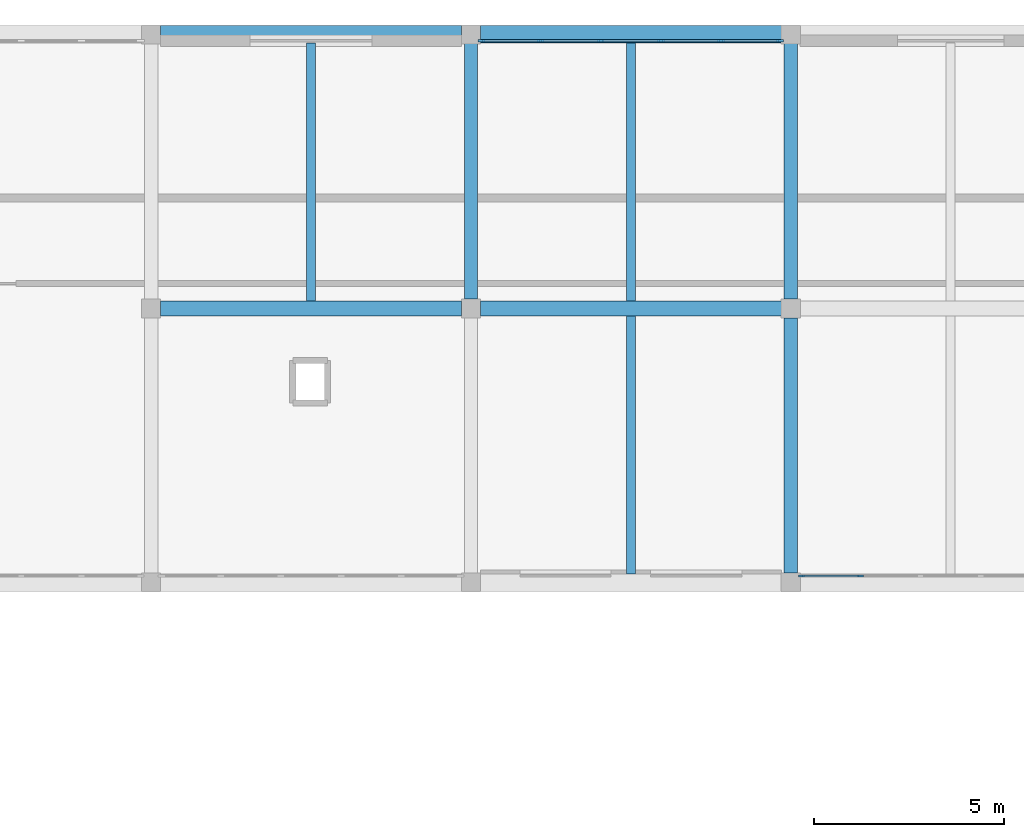
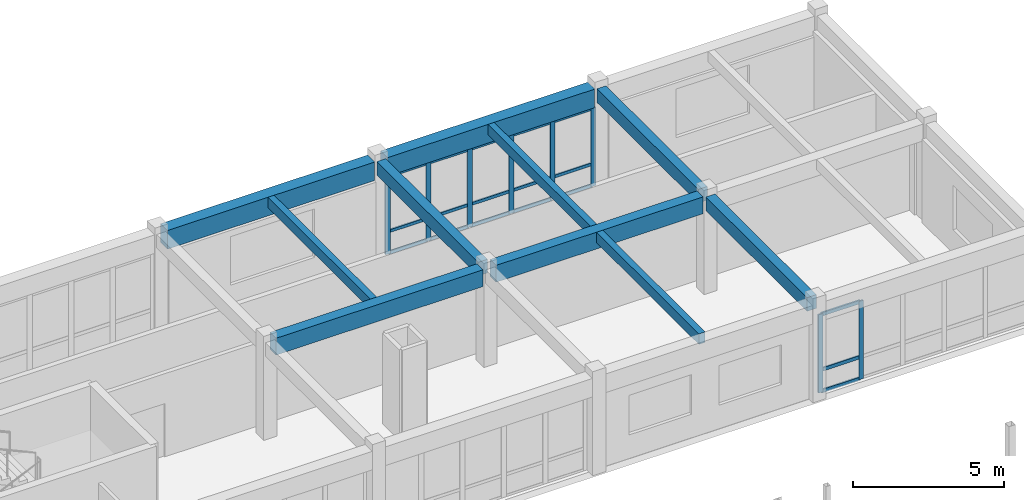
# One storey, part 51 of 89: 26 members, 10 beams, 2 elements without a shape of their own.
"""IFC4 building model written with IfcOpenShell, lengths in metres."""

from ifc_helpers import new_model, si_unit, direction, frame, origin, origin_2d, place, context, subcontext, project, spatial, rectangle, extrude, material, material_profile, profile_set, type_object, element, aggregate, save


model = new_model("IFC4")

# Units and contexts
model_context = context("Model", 3, precision=1e-05, world=origin(), true_north=direction((0.0, 1.0)))
body_context = subcontext(model_context, "Body", "Model", "MODEL_VIEW")
ifc_project = project(units=[si_unit("LENGTHUNIT", "METRE"), si_unit("AREAUNIT", "SQUARE_METRE"), si_unit("VOLUMEUNIT", "CUBIC_METRE"), si_unit("PLANEANGLEUNIT", "RADIAN"), si_unit("MASSUNIT", "GRAM", prefix="KILO")], contexts=[model_context])

# Site, building, storey
site_placement = place(None, origin())
site = spatial("IfcSite", under=ifc_project, at=site_placement, CompositionType="ELEMENT")
building_placement = place(site_placement, origin())
building = spatial("IfcBuilding", under=site, at=building_placement, Name="Malvenik Polytechnic", CompositionType="ELEMENT")
storey_placement = place(building_placement, frame((0.0, 0.0, 13.5)))
storey = spatial("IfcBuildingStorey", under=building, at=storey_placement, Name="L03", CompositionType="ELEMENT", Elevation=13.5)

# Curtain wall, members
ifc_material_1 = material(Name="Anodised aluminium 6060-T6", Category="aluminium")
curtain_wall_type = type_object("IfcCurtainWallType", Name="ARC-CW-CW-02", PredefinedType="NOTDEFINED", material=ifc_material_1)
curtain_wall_1_placement = place(storey_placement, origin())
curtain_wall_1 = element("IfcCurtainWall", 1, at=curtain_wall_1_placement, inside=storey, type_object=curtain_wall_type, Name="Unitised Curtain Wall CW-02 L03 #182", PredefinedType="NOTDEFINED")
ifc_material_2 = material(Name="Anodised aluminium", Category="aluminium")
ifc_material_profile_1 = material_profile(ifc_material_2, rectangle(XDim=0.06005859375, YDim=0.159912109375, at=origin_2d()), Name="ALU MULLION 60x160")
ifc_profile_set_1 = profile_set([ifc_material_profile_1], Name="Anodised aluminium")
member_type_1 = type_object("IfcMemberType", Name="ARC-CWM-160", PredefinedType="MULLION", material=ifc_profile_set_1)
member_1_placement = place(storey_placement, frame((127.828857421875, 115.3701171875, 0.0), z_axis=(0.0, 0.0, 1.0), x_axis=(0.0, -1.0, 0.0)))
member_1 = element("IfcMember", 2, at=member_1_placement, type_object=member_type_1, Name="CW-02 mullion 5", PredefinedType="MULLION", context=body_context, shape_type="SweptSolid", body=[
    extrude(rectangle(XDim=0.06005859375, YDim=0.159912109375, at=origin_2d()), origin(), (0.0, 0.0, 1.0), 3.159912109375),
])
member_2_placement = place(storey_placement, frame((126.278076171875, 115.3701171875, 0.0), z_axis=(0.0, 0.0, 1.0), x_axis=(0.0, -1.0, 0.0)))
member_2 = element("IfcMember", 3, at=member_2_placement, type_object=member_type_1, Name="CW-02 mullion 6", PredefinedType="MULLION", context=body_context, shape_type="SweptSolid", body=[
    extrude(rectangle(XDim=0.06005859375, YDim=0.159912109375, at=origin_2d()), origin(), (0.0, 0.0, 1.0), 3.159912109375),
])

curtain_wall_2_placement = place(storey_placement, origin())
curtain_wall_2 = element("IfcCurtainWall", 4, at=curtain_wall_2_placement, inside=storey, type_object=curtain_wall_type, Name="Unitised Curtain Wall CW-02 L03 #181", PredefinedType="NOTDEFINED")
ifc_material_profile_2 = material_profile(ifc_material_2, rectangle(XDim=0.06005859375, YDim=0.179931640625, at=origin_2d()), Name="ALU MULLION 60x180")
ifc_profile_set_2 = profile_set([ifc_material_profile_2], Name="Anodised aluminium")
member_type_2 = type_object("IfcMemberType", Name="ARC-CWM-180", PredefinedType="MULLION", material=ifc_profile_set_2)
member_3_placement = place(storey_placement, frame((117.8779296875, 129.429931640625, 0.0), z_axis=(0.0, 0.0, 1.0), x_axis=(0.0, 1.0, 0.0)))
member_3 = element("IfcMember", 5, at=member_3_placement, type_object=member_type_2, Name="CW-02 mullion 1", PredefinedType="MULLION", context=body_context, shape_type="SweptSolid", body=[
    extrude(rectangle(XDim=0.06005859375, YDim=0.179931640625, at=origin_2d()), origin(), (0.0, 0.0, 1.0), 3.159912109375),
])
member_4_placement = place(storey_placement, frame((119.4287109375, 129.429931640625, 0.0), z_axis=(0.0, 0.0, 1.0), x_axis=(0.0, 1.0, 0.0)))
member_4 = element("IfcMember", 6, at=member_4_placement, type_object=member_type_2, Name="CW-02 mullion 2", PredefinedType="MULLION", context=body_context, shape_type="SweptSolid", body=[
    extrude(rectangle(XDim=0.06005859375, YDim=0.179931640625, at=origin_2d()), origin(), (0.0, 0.0, 1.0), 3.159912109375),
])
member_5_placement = place(storey_placement, frame((121.009521484375, 129.429931640625, 0.0), z_axis=(0.0, 0.0, 1.0), x_axis=(0.0, 1.0, 0.0)))
member_5 = element("IfcMember", 7, at=member_5_placement, type_object=member_type_2, Name="CW-02 mullion 3", PredefinedType="MULLION", context=body_context, shape_type="SweptSolid", body=[
    extrude(rectangle(XDim=0.06005859375, YDim=0.179931640625, at=origin_2d()), origin(), (0.0, 0.0, 1.0), 3.159912109375),
])
member_6_placement = place(storey_placement, frame((122.59033203125, 129.429931640625, 0.0), z_axis=(0.0, 0.0, 1.0), x_axis=(0.0, 1.0, 0.0)))
member_6 = element("IfcMember", 8, at=member_6_placement, type_object=member_type_2, Name="CW-02 mullion 4", PredefinedType="MULLION", context=body_context, shape_type="SweptSolid", body=[
    extrude(rectangle(XDim=0.06005859375, YDim=0.179931640625, at=origin_2d()), origin(), (0.0, 0.0, 1.0), 3.159912109375),
])
member_7_placement = place(storey_placement, frame((124.171142578125, 129.429931640625, 0.0), z_axis=(0.0, 0.0, 1.0), x_axis=(0.0, 1.0, 0.0)))
member_7 = element("IfcMember", 9, at=member_7_placement, type_object=member_type_2, Name="CW-02 mullion 5", PredefinedType="MULLION", context=body_context, shape_type="SweptSolid", body=[
    extrude(rectangle(XDim=0.06005859375, YDim=0.179931640625, at=origin_2d()), origin(), (0.0, 0.0, 1.0), 3.159912109375),
])
member_8_placement = place(storey_placement, frame((125.721923828125, 129.429931640625, 0.0), z_axis=(0.0, 0.0, 1.0), x_axis=(0.0, 1.0, 0.0)))
member_8 = element("IfcMember", 10, at=member_8_placement, type_object=member_type_2, Name="CW-02 mullion 6", PredefinedType="MULLION", context=body_context, shape_type="SweptSolid", body=[
    extrude(rectangle(XDim=0.06005859375, YDim=0.179931640625, at=origin_2d()), origin(), (0.0, 0.0, 1.0), 3.159912109375),
])
ifc_material_profile_3 = material_profile(ifc_material_2, rectangle(XDim=0.06005859375, YDim=0.1201171875, at=origin_2d()), Name="ALU TRANSOM 60x120")
ifc_profile_set_3 = profile_set([ifc_material_profile_3], Name="Anodised aluminium")
member_type_3 = type_object("IfcMemberType", Name="ARC-CWT-120", PredefinedType="USERDEFINED", material=ifc_profile_set_3)
member_9_placement = place(storey_placement, frame((117.907958984375, 129.429931640625, 0.030029296875), z_axis=(1.0, 0.0, 0.0), x_axis=(0.0, 1.0, 0.0)))
member_9 = element("IfcMember", 11, at=member_9_placement, type_object=member_type_3, Name="CW-02 transom 1.1", ObjectType="TRANSOM", PredefinedType="USERDEFINED", context=body_context, shape_type="SweptSolid", body=[
    extrude(rectangle(XDim=0.06005859375, YDim=0.1201171875, at=origin_2d()), origin(), (0.0, 0.0, 1.0), 1.49072265625),
])
member_10_placement = place(storey_placement, frame((117.907958984375, 129.429931640625, 0.89990234375), z_axis=(1.0, 0.0, 0.0), x_axis=(0.0, 1.0, 0.0)))
member_10 = element("IfcMember", 12, at=member_10_placement, type_object=member_type_3, Name="CW-02 transom 1.2", ObjectType="TRANSOM", PredefinedType="USERDEFINED", context=body_context, shape_type="SweptSolid", body=[
    extrude(rectangle(XDim=0.06005859375, YDim=0.1201171875, at=origin_2d()), origin(), (0.0, 0.0, 1.0), 1.49072265625),
])
member_11_placement = place(storey_placement, frame((117.907958984375, 129.429931640625, 3.1298828125), z_axis=(1.0, 0.0, 0.0), x_axis=(0.0, 1.0, 0.0)))
member_11 = element("IfcMember", 13, at=member_11_placement, type_object=member_type_3, Name="CW-02 transom 1.3", ObjectType="TRANSOM", PredefinedType="USERDEFINED", context=body_context, shape_type="SweptSolid", body=[
    extrude(rectangle(XDim=0.06005859375, YDim=0.1201171875, at=origin_2d()), origin(), (0.0, 0.0, 1.0), 1.49072265625),
])
member_12_placement = place(storey_placement, frame((119.458740234375, 129.429931640625, 0.030029296875), z_axis=(1.0, 0.0, 0.0), x_axis=(0.0, 1.0, 0.0)))
member_12 = element("IfcMember", 14, at=member_12_placement, type_object=member_type_3, Name="CW-02 transom 2.1", ObjectType="TRANSOM", PredefinedType="USERDEFINED", context=body_context, shape_type="SweptSolid", body=[
    extrude(rectangle(XDim=0.06005859375, YDim=0.1201171875, at=origin_2d()), origin(), (0.0, 0.0, 1.0), 1.520751953125),
])
member_13_placement = place(storey_placement, frame((119.458740234375, 129.429931640625, 0.89990234375), z_axis=(1.0, 0.0, 0.0), x_axis=(0.0, 1.0, 0.0)))
member_13 = element("IfcMember", 15, at=member_13_placement, type_object=member_type_3, Name="CW-02 transom 2.2", ObjectType="TRANSOM", PredefinedType="USERDEFINED", context=body_context, shape_type="SweptSolid", body=[
    extrude(rectangle(XDim=0.06005859375, YDim=0.1201171875, at=origin_2d()), origin(), (0.0, 0.0, 1.0), 1.520751953125),
])
member_14_placement = place(storey_placement, frame((119.458740234375, 129.429931640625, 3.1298828125), z_axis=(1.0, 0.0, 0.0), x_axis=(0.0, 1.0, 0.0)))
member_14 = element("IfcMember", 16, at=member_14_placement, type_object=member_type_3, Name="CW-02 transom 2.3", ObjectType="TRANSOM", PredefinedType="USERDEFINED", context=body_context, shape_type="SweptSolid", body=[
    extrude(rectangle(XDim=0.06005859375, YDim=0.1201171875, at=origin_2d()), origin(), (0.0, 0.0, 1.0), 1.520751953125),
])
member_15_placement = place(storey_placement, frame((121.03955078125, 129.429931640625, 0.030029296875), z_axis=(1.0, 0.0, 0.0), x_axis=(0.0, 1.0, 0.0)))
member_15 = element("IfcMember", 17, at=member_15_placement, type_object=member_type_3, Name="CW-02 transom 3.1", ObjectType="TRANSOM", PredefinedType="USERDEFINED", context=body_context, shape_type="SweptSolid", body=[
    extrude(rectangle(XDim=0.06005859375, YDim=0.1201171875, at=origin_2d()), origin(), (0.0, 0.0, 1.0), 1.520751953125),
])
member_16_placement = place(storey_placement, frame((121.03955078125, 129.429931640625, 0.89990234375), z_axis=(1.0, 0.0, 0.0), x_axis=(0.0, 1.0, 0.0)))
member_16 = element("IfcMember", 18, at=member_16_placement, type_object=member_type_3, Name="CW-02 transom 3.2", ObjectType="TRANSOM", PredefinedType="USERDEFINED", context=body_context, shape_type="SweptSolid", body=[
    extrude(rectangle(XDim=0.06005859375, YDim=0.1201171875, at=origin_2d()), origin(), (0.0, 0.0, 1.0), 1.520751953125),
])
member_17_placement = place(storey_placement, frame((121.03955078125, 129.429931640625, 3.1298828125), z_axis=(1.0, 0.0, 0.0), x_axis=(0.0, 1.0, 0.0)))
member_17 = element("IfcMember", 19, at=member_17_placement, type_object=member_type_3, Name="CW-02 transom 3.3", ObjectType="TRANSOM", PredefinedType="USERDEFINED", context=body_context, shape_type="SweptSolid", body=[
    extrude(rectangle(XDim=0.06005859375, YDim=0.1201171875, at=origin_2d()), origin(), (0.0, 0.0, 1.0), 1.520751953125),
])
member_18_placement = place(storey_placement, frame((122.620361328125, 129.429931640625, 0.030029296875), z_axis=(1.0, 0.0, 0.0), x_axis=(0.0, 1.0, 0.0)))
member_18 = element("IfcMember", 20, at=member_18_placement, type_object=member_type_3, Name="CW-02 transom 4.1", ObjectType="TRANSOM", PredefinedType="USERDEFINED", context=body_context, shape_type="SweptSolid", body=[
    extrude(rectangle(XDim=0.06005859375, YDim=0.1201171875, at=origin_2d()), origin(), (0.0, 0.0, 1.0), 1.520751953125),
])
member_19_placement = place(storey_placement, frame((122.620361328125, 129.429931640625, 0.89990234375), z_axis=(1.0, 0.0, 0.0), x_axis=(0.0, 1.0, 0.0)))
member_19 = element("IfcMember", 21, at=member_19_placement, type_object=member_type_3, Name="CW-02 transom 4.2", ObjectType="TRANSOM", PredefinedType="USERDEFINED", context=body_context, shape_type="SweptSolid", body=[
    extrude(rectangle(XDim=0.06005859375, YDim=0.1201171875, at=origin_2d()), origin(), (0.0, 0.0, 1.0), 1.520751953125),
])
member_20_placement = place(storey_placement, frame((122.620361328125, 129.429931640625, 3.1298828125), z_axis=(1.0, 0.0, 0.0), x_axis=(0.0, 1.0, 0.0)))
member_20 = element("IfcMember", 22, at=member_20_placement, type_object=member_type_3, Name="CW-02 transom 4.3", ObjectType="TRANSOM", PredefinedType="USERDEFINED", context=body_context, shape_type="SweptSolid", body=[
    extrude(rectangle(XDim=0.06005859375, YDim=0.1201171875, at=origin_2d()), origin(), (0.0, 0.0, 1.0), 1.520751953125),
])
member_21_placement = place(storey_placement, frame((124.201171875, 129.429931640625, 0.030029296875), z_axis=(1.0, 0.0, 0.0), x_axis=(0.0, 1.0, 0.0)))
member_21 = element("IfcMember", 23, at=member_21_placement, type_object=member_type_3, Name="CW-02 transom 5.1", ObjectType="TRANSOM", PredefinedType="USERDEFINED", context=body_context, shape_type="SweptSolid", body=[
    extrude(rectangle(XDim=0.06005859375, YDim=0.1201171875, at=origin_2d()), origin(), (0.0, 0.0, 1.0), 1.49072265625),
])
member_22_placement = place(storey_placement, frame((124.201171875, 129.429931640625, 0.89990234375), z_axis=(1.0, 0.0, 0.0), x_axis=(0.0, 1.0, 0.0)))
member_22 = element("IfcMember", 24, at=member_22_placement, type_object=member_type_3, Name="CW-02 transom 5.2", ObjectType="TRANSOM", PredefinedType="USERDEFINED", context=body_context, shape_type="SweptSolid", body=[
    extrude(rectangle(XDim=0.06005859375, YDim=0.1201171875, at=origin_2d()), origin(), (0.0, 0.0, 1.0), 1.49072265625),
])
member_23_placement = place(storey_placement, frame((124.201171875, 129.429931640625, 3.1298828125), z_axis=(1.0, 0.0, 0.0), x_axis=(0.0, 1.0, 0.0)))
member_23 = element("IfcMember", 25, at=member_23_placement, type_object=member_type_3, Name="CW-02 transom 5.3", ObjectType="TRANSOM", PredefinedType="USERDEFINED", context=body_context, shape_type="SweptSolid", body=[
    extrude(rectangle(XDim=0.06005859375, YDim=0.1201171875, at=origin_2d()), origin(), (0.0, 0.0, 1.0), 1.49072265625),
])
aggregate(curtain_wall_2, [member_3, member_4, member_5, member_6, member_7, member_8, member_9, member_10, member_11, member_12, member_13, member_14, member_15, member_16, member_17, member_18, member_19, member_20, member_21, member_22, member_23])

# Member
ifc_material_profile_4 = material_profile(ifc_material_2, rectangle(XDim=0.06005859375, YDim=0.139892578125, at=origin_2d()), Name="ALU TRANSOM 60x140")
ifc_profile_set_4 = profile_set([ifc_material_profile_4], Name="Anodised aluminium")
member_type_4 = type_object("IfcMemberType", Name="ARC-CWT-140", PredefinedType="USERDEFINED", material=ifc_profile_set_4)
member_24_placement = place(storey_placement, frame((127.798828125, 115.3701171875, 0.030029296875), z_axis=(-1.0, 0.0, 0.0), x_axis=(0.0, -1.0, 0.0)))
member_24 = element("IfcMember", 26, at=member_24_placement, type_object=member_type_4, Name="CW-02 transom 5.1", ObjectType="TRANSOM", PredefinedType="USERDEFINED", context=body_context, shape_type="SweptSolid", body=[
    extrude(rectangle(XDim=0.06005859375, YDim=0.139892578125, at=origin_2d()), origin(), (0.0, 0.0, 1.0), 1.49072265625),
])

member_25_placement = place(storey_placement, frame((127.798828125, 115.3701171875, 0.89990234375), z_axis=(-1.0, 0.0, 0.0), x_axis=(0.0, -1.0, 0.0)))
member_25 = element("IfcMember", 27, at=member_25_placement, type_object=member_type_4, Name="CW-02 transom 5.2", ObjectType="TRANSOM", PredefinedType="USERDEFINED", context=body_context, shape_type="SweptSolid", body=[
    extrude(rectangle(XDim=0.06005859375, YDim=0.139892578125, at=origin_2d()), origin(), (0.0, 0.0, 1.0), 1.49072265625),
])

member_26_placement = place(storey_placement, frame((127.798828125, 115.3701171875, 3.1298828125), z_axis=(-1.0, 0.0, 0.0), x_axis=(0.0, -1.0, 0.0)))
member_26 = element("IfcMember", 28, at=member_26_placement, type_object=member_type_4, Name="CW-02 transom 5.3", ObjectType="TRANSOM", PredefinedType="USERDEFINED", context=body_context, shape_type="SweptSolid", body=[
    extrude(rectangle(XDim=0.06005859375, YDim=0.139892578125, at=origin_2d()), origin(), (0.0, 0.0, 1.0), 1.49072265625),
])

aggregate(curtain_wall_1, [member_1, member_2, member_24, member_25, member_26])

# Beams
ifc_material_3 = material(Name="Concrete C35/45", Category="concrete")
ifc_material_profile_5 = material_profile(ifc_material_3, rectangle(XDim=0.39990234375, YDim=0.679931640625, at=origin_2d()), Name="RC BM 400x680")
ifc_profile_set_5 = profile_set([ifc_material_profile_5], Name="Concrete C35/45")
beam_type_1 = type_object("IfcBeamType", Name="STR-BM-B-05", PredefinedType="BEAM", material=ifc_profile_set_5)
for number, where, z_axis, x_axis, name in (
    (29, (109.447998046875, 122.39990234375, 3.580078125), (1.0, 0.0, 0.0), (0.0, 1.0, 0.0), "Primary Beam B-05 L03 #1700"),
    (30, (117.847900390625, 122.39990234375, 3.580078125), (1.0, 0.0, 0.0), (0.0, 1.0, 0.0), "Primary Beam B-05 L03 #1701"),
):
    element("IfcBeam", number, at=place(storey_placement, frame(where, z_axis=z_axis, x_axis=x_axis)), inside=storey, type_object=beam_type_1, Name=name, PredefinedType="BEAM", context=body_context, shape_type="SweptSolid", body=[
        extrude(rectangle(XDim=0.39990234375, YDim=0.679931640625, at=origin_2d()), origin(), (0.0, 0.0, 1.0), 7.904052734375),
    ])
ifc_material_profile_6 = material_profile(ifc_material_3, rectangle(XDim=0.35009765625, YDim=0.550048828125, at=origin_2d()), Name="RC BM 350x550")
ifc_profile_set_6 = profile_set([ifc_material_profile_6], Name="Concrete C35/45")
beam_type_2 = type_object("IfcBeamType", Name="STR-BM-B-08", PredefinedType="BEAM", material=ifc_profile_set_6)
for number, where, z_axis, x_axis, name in (
    (31, (117.60009765625, 122.64794921875, 3.64501953125), (0.0, 1.0, 0.0), (-1.0, 0.0, 0.0), "Transverse Beam B-08 L03 #1775"),
    (32, (126.0, 115.447998046875, 3.64501953125), (0.0, 1.0, 0.0), (-1.0, 0.0, 0.0), "Transverse Beam B-08 L03 #1778"),
    (33, (126.0, 122.64794921875, 3.64501953125), (0.0, 1.0, 0.0), (-1.0, 0.0, 0.0), "Transverse Beam B-08 L03 #1779"),
):
    element("IfcBeam", number, at=place(storey_placement, frame(where, z_axis=z_axis, x_axis=x_axis)), inside=storey, type_object=beam_type_2, Name=name, PredefinedType="BEAM", context=body_context, shape_type="SweptSolid", body=[
        extrude(rectangle(XDim=0.35009765625, YDim=0.550048828125, at=origin_2d()), origin(), (0.0, 0.0, 1.0), 6.7041015625),
    ])
ifc_material_4 = material(Name="Concrete C30/37", Category="concrete")
ifc_material_profile_7 = material_profile(ifc_material_4, rectangle(XDim=0.239990234375, YDim=0.419921875, at=origin_2d()), Name="RC JST 240x420")
ifc_profile_set_7 = profile_set([ifc_material_profile_7], Name="Concrete C30/37")
beam_type_3 = type_object("IfcBeamType", Name="STR-BM-J-03", PredefinedType="JOIST", material=ifc_profile_set_7)
beam_1_placement = place(storey_placement, frame((113.39990234375, 122.597900390625, 3.7099609375), z_axis=(0.0, 1.0, 0.0), x_axis=(-1.0, 0.0, 0.0)))
element("IfcBeam", 34, at=beam_1_placement, inside=storey, type_object=beam_type_3, Name="Secondary Rib Joist J-03 L03 #1819", PredefinedType="JOIST", context=body_context, shape_type="SweptSolid", body=[
    extrude(rectangle(XDim=0.239990234375, YDim=0.419921875, at=origin_2d()), origin(), (0.0, 0.0, 1.0), 6.774169921875),
])
beam_2_placement = place(storey_placement, frame((121.800048828125, 115.427978515625, 3.7099609375), z_axis=(0.0, 1.0, 0.0), x_axis=(-1.0, 0.0, 0.0)))
element("IfcBeam", 35, at=beam_2_placement, inside=storey, type_object=beam_type_3, Name="Secondary Rib Joist J-03 L03 #1822", PredefinedType="JOIST", context=body_context, shape_type="SweptSolid", body=[
    extrude(rectangle(XDim=0.239990234375, YDim=0.419921875, at=origin_2d()), origin(), (0.0, 0.0, 1.0), 6.77392578125),
])
beam_3_placement = place(storey_placement, frame((121.800048828125, 122.597900390625, 3.7099609375), z_axis=(0.0, 1.0, 0.0), x_axis=(-1.0, 0.0, 0.0)))
element("IfcBeam", 36, at=beam_3_placement, inside=storey, type_object=beam_type_3, Name="Secondary Rib Joist J-03 L03 #1823", PredefinedType="JOIST", context=body_context, shape_type="SweptSolid", body=[
    extrude(rectangle(XDim=0.239990234375, YDim=0.419921875, at=origin_2d()), origin(), (0.0, 0.0, 1.0), 6.774169921875),
])
ifc_material_5 = material(Name="Precast concrete C40/50", Category="concrete")
ifc_material_profile_8 = material_profile(ifc_material_5, rectangle(XDim=0.4599609375, YDim=0.75, at=origin_2d()), Name="PC SPN 460x750")
ifc_profile_set_8 = profile_set([ifc_material_profile_8], Name="Precast concrete C40/50")
beam_type_4 = type_object("IfcBeamType", Name="STR-BM-SP-02", PredefinedType="SPANDREL", material=ifc_profile_set_8)
for number, where, z_axis, x_axis, name in (
    (37, (109.447998046875, 129.60009765625, 3.544921875), (1.0, 0.0, 0.0), (0.0, 1.0, 0.0), "Primary Beam SP-02 L03 #1716"),
    (38, (117.847900390625, 129.60009765625, 3.544921875), (1.0, 0.0, 0.0), (0.0, 1.0, 0.0), "Primary Beam SP-02 L03 #1717"),
):
    element("IfcBeam", number, at=place(storey_placement, frame(where, z_axis=z_axis, x_axis=x_axis)), inside=storey, type_object=beam_type_4, Name=name, PredefinedType="SPANDREL", context=body_context, shape_type="SweptSolid", body=[
        extrude(rectangle(XDim=0.4599609375, YDim=0.75, at=origin_2d()), origin(), (0.0, 0.0, 1.0), 7.904052734375),
    ])

save(model, "model.ifc")
